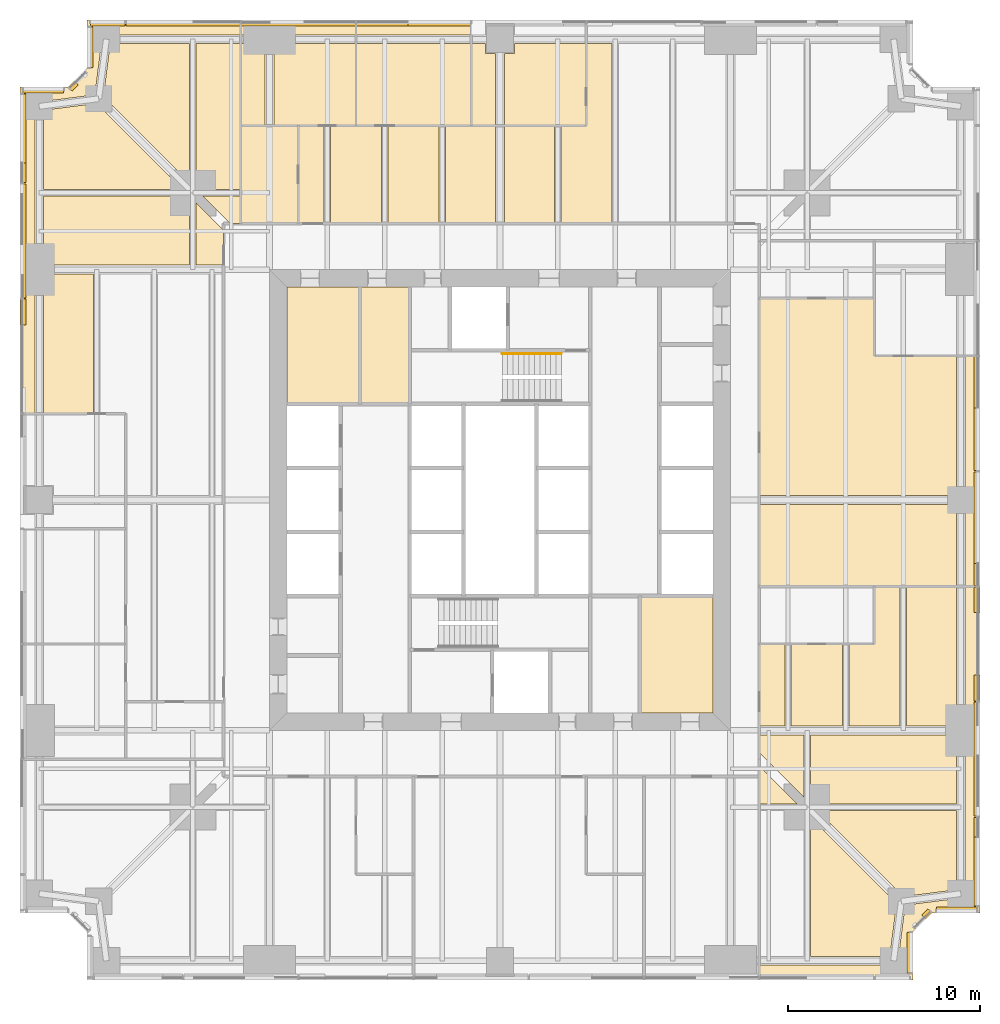
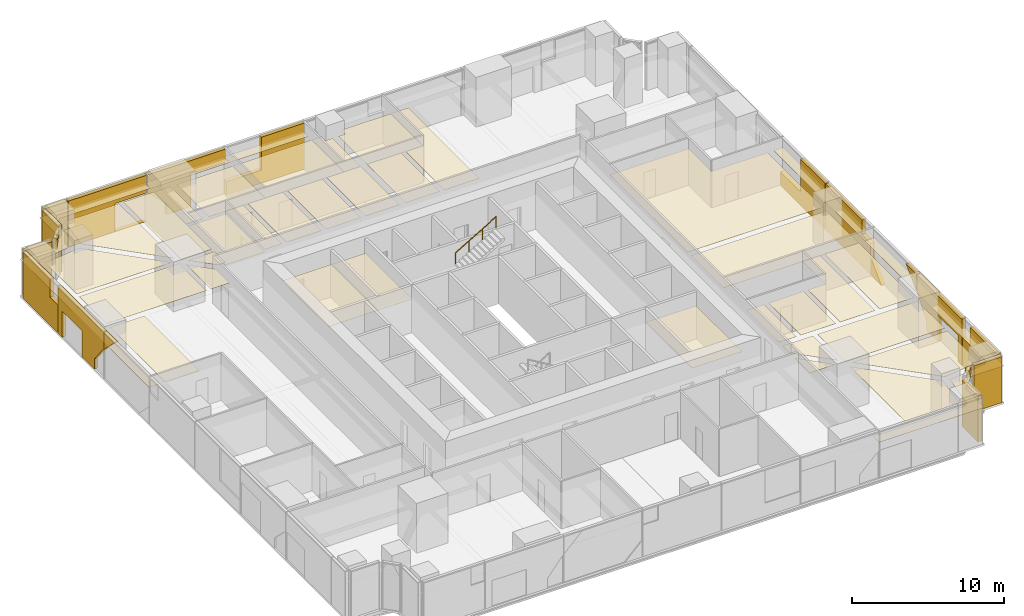
# One storey, part 13 of 14: 57 coverings, 1 railing.
"""IFC4 building model written with IfcOpenShell, lengths in metres."""

from ifc_helpers import new_model, si_unit, direction, frame, origin, origin_2d, place, context, subcontext, project, spatial, polyline, circle, outline, extrude, material, layer, layer_set, type_object, element, save


model = new_model("IFC4")

# Units and contexts
model_context = context("Model", 3, precision=1e-05, world=origin(), true_north=direction((0.0, 1.0)))
body_context = subcontext(model_context, "Body", "Model", "MODEL_VIEW")
ifc_project = project(units=[si_unit("LENGTHUNIT", "METRE"), si_unit("AREAUNIT", "SQUARE_METRE"), si_unit("VOLUMEUNIT", "CUBIC_METRE"), si_unit("PLANEANGLEUNIT", "RADIAN"), si_unit("MASSUNIT", "GRAM", prefix="KILO")], contexts=[model_context])

# Site, building, storey
site_placement = place(None, origin())
site = spatial("IfcSite", under=ifc_project, at=site_placement, CompositionType="ELEMENT")
building_placement = place(site_placement, origin())
building = spatial("IfcBuilding", under=site, at=building_placement, Name="Fenwick Lantern Interchange", CompositionType="ELEMENT")
storey_placement = place(building_placement, frame((0.0, 0.0, 87.0)))
storey = spatial("IfcBuildingStorey", under=building, at=storey_placement, Name="L20", CompositionType="ELEMENT", Elevation=87.0)

# Coverings
ifc_material_1 = material(Name="Mineral fibre acoustic tile on suspended grid")
ifc_layer_1 = layer(ifc_material_1, 0.02001953125)
ifc_layer_set_1 = layer_set([ifc_layer_1], Name="ACOUSTIC TILE CEILING 20")
covering_type_1 = type_object("IfcCoveringType", Name="ACOUSTIC TILE CEILING 20", PredefinedType="CEILING", material=ifc_layer_set_1)
covering_1_placement = place(storey_placement, frame((0.0, 0.0, 2.89990234375)))
element("IfcCovering", 1, at=covering_1_placement, inside=storey, type_object=covering_type_1, Name="Office suite ceiling", PredefinedType="CEILING", context=body_context, shape_type="SweptSolid", body=[
    extrude(outline(polyline([(48.775634765625, 12.767822265625), (41.166015625, 12.767822265625), (41.166015625, 9.17822265625), (41.172119140625, 9.172119140625), (41.17822265625, 9.166015625), (48.775634765625, 9.166015625), (48.775634765625, 12.767822265625)])), origin(), (0.0, 0.0, 1.0), 0.02001953125),
])
covering_2_placement = place(storey_placement, frame((0.0, 0.0, 2.89990234375)))
element("IfcCovering", 2, at=covering_2_placement, inside=storey, type_object=covering_type_1, Name="Office suite ceiling", PredefinedType="CEILING", context=body_context, shape_type="SweptSolid", body=[
    extrude(outline(polyline([(50.0, 20.5), (49.224365234375, 20.5), (49.224365234375, 13.0), (49.224365234375, 4.5), (49.0, 4.5), (49.02880859375, 4.27734375), (46.1005859375, 3.8994140625), (45.72265625, 0.97119140625), (45.5, 1.0), (45.5, 0.775634765625), (38.5, 0.775634765625), (38.5, 0.0), (46.5, 0.0), (46.5, 2.5), (47.5, 3.5), (50.0, 3.5), (50.0, 20.5)])), origin(), (0.0, 0.0, 1.0), 0.02001953125),
])
covering_3_placement = place(storey_placement, frame((0.0, 0.0, 2.89990234375)))
element("IfcCovering", 3, at=covering_3_placement, inside=storey, type_object=covering_type_1, Name="Office suite ceiling", PredefinedType="CEILING", context=body_context, shape_type="SweptSolid", body=[
    extrude(outline(polyline([(46.004638671875, 4.33984375), (48.775634765625, 4.697265625), (48.775634765625, 8.833984375), (41.510498046875, 8.833984375), (46.004638671875, 4.33984375)])), origin(), (0.0, 0.0, 1.0), 0.02001953125),
])
covering_4_placement = place(storey_placement, frame((0.0, 0.0, 2.89990234375)))
element("IfcCovering", 4, at=covering_4_placement, inside=storey, type_object=covering_type_1, Name="Office suite ceiling", PredefinedType="CEILING", context=body_context, shape_type="SweptSolid", body=[
    extrude(outline(polyline([(41.166015625, 8.489501953125), (41.166015625, 1.224365234375), (45.302734375, 1.224365234375), (45.66015625, 3.995361328125), (41.166015625, 8.489501953125)])), origin(), (0.0, 0.0, 1.0), 0.02001953125),
])
covering_5_placement = place(storey_placement, frame((0.0, 0.0, 2.89990234375)))
element("IfcCovering", 5, at=covering_5_placement, inside=storey, type_object=covering_type_1, Name="Office suite ceiling", PredefinedType="CEILING", context=body_context, shape_type="SweptSolid", body=[
    extrude(outline(polyline([(48.775634765625, 20.5), (46.166015625, 20.5), (46.166015625, 13.232177734375), (48.775634765625, 13.232177734375), (48.775634765625, 20.5)])), origin(), (0.0, 0.0, 1.0), 0.02001953125),
])
covering_6_placement = place(storey_placement, frame((0.0, 0.0, 2.89990234375)))
element("IfcCovering", 6, at=covering_6_placement, inside=storey, type_object=covering_type_1, Name="Office suite ceiling", PredefinedType="CEILING", context=body_context, shape_type="SweptSolid", body=[
    extrude(outline(polyline([(45.833984375, 20.5), (44.5, 20.5), (44.5, 17.5), (43.166015625, 17.5), (43.166015625, 13.232177734375), (45.833984375, 13.232177734375), (45.833984375, 20.5)])), origin(), (0.0, 0.0, 1.0), 0.02001953125),
])
covering_7_placement = place(storey_placement, frame((0.0, 0.0, 2.89990234375)))
element("IfcCovering", 7, at=covering_7_placement, inside=storey, type_object=covering_type_1, Name="Office suite ceiling", PredefinedType="CEILING", context=body_context, shape_type="SweptSolid", body=[
    extrude(outline(polyline([(42.833984375, 17.5), (40.166015625, 17.5), (40.166015625, 13.232177734375), (42.833984375, 13.232177734375), (42.833984375, 17.5)])), origin(), (0.0, 0.0, 1.0), 0.02001953125),
])
covering_8_placement = place(storey_placement, frame((0.0, 0.0, 2.89990234375)))
element("IfcCovering", 8, at=covering_8_placement, inside=storey, type_object=covering_type_1, Name="Office suite ceiling", PredefinedType="CEILING", context=body_context, shape_type="SweptSolid", body=[
    extrude(outline(polyline([(38.5, 17.5), (38.5, 13.232177734375), (39.833984375, 13.232177734375), (39.833984375, 17.5), (38.5, 17.5)])), origin(), (0.0, 0.0, 1.0), 0.02001953125),
])
covering_9_placement = place(storey_placement, frame((0.0, 0.0, 2.89990234375)))
element("IfcCovering", 9, at=covering_9_placement, inside=storey, type_object=covering_type_1, Name="Office suite ceiling", PredefinedType="CEILING", context=body_context, shape_type="SweptSolid", body=[
    extrude(outline(polyline([(38.5, 12.767822265625), (38.5, 11.844482421875), (40.833984375, 9.510498046875), (40.833984375, 12.767822265625), (38.5, 12.767822265625)])), origin(), (0.0, 0.0, 1.0), 0.02001953125),
])
covering_10_placement = place(storey_placement, frame((0.0, 0.0, 2.89990234375)))
element("IfcCovering", 10, at=covering_10_placement, inside=storey, type_object=covering_type_1, Name="Office suite ceiling", PredefinedType="CEILING", context=body_context, shape_type="SweptSolid", body=[
    extrude(outline(polyline([(38.5, 11.155517578125), (38.5, 9.166015625), (40.489501953125, 9.166015625), (38.5, 11.155517578125)])), origin(), (0.0, 0.0, 1.0), 0.02001953125),
])
covering_11_placement = place(storey_placement, frame((0.0, 0.0, 2.88427734375)))
element("IfcCovering", 11, at=covering_11_placement, inside=storey, type_object=covering_type_1, Name="Office suite ceiling", PredefinedType="CEILING", context=body_context, shape_type="SweptSolid", body=[
    extrude(outline(polyline([(38.5, 35.5), (38.5, 25.224365234375), (48.775634765625, 25.224365234375), (48.775634765625, 32.5), (44.5, 32.5), (44.5, 35.5), (38.5, 35.5)])), origin(), (0.0, 0.0, 1.0), 0.02001953125),
])
covering_12_placement = place(storey_placement, frame((0.0, 0.0, 2.88427734375)))
element("IfcCovering", 12, at=covering_12_placement, inside=storey, type_object=covering_type_1, Name="Office suite ceiling", PredefinedType="CEILING", context=body_context, shape_type="SweptSolid", body=[
    extrude(outline(polyline([(38.5, 20.5), (48.775634765625, 20.5), (48.775634765625, 24.775634765625), (38.5, 24.775634765625), (38.5, 20.5)])), origin(), (0.0, 0.0, 1.0), 0.02001953125),
])
covering_13_placement = place(storey_placement, frame((0.0, 0.0, 2.88427734375)))
element("IfcCovering", 13, at=covering_13_placement, inside=storey, type_object=covering_type_1, Name="Office suite ceiling", PredefinedType="CEILING", context=body_context, shape_type="SweptSolid", body=[
    extrude(outline(polyline([(49.224365234375, 20.5), (50.0, 20.5), (50.0, 32.5), (49.224365234375, 32.5), (49.224365234375, 25.0), (49.224365234375, 20.5)])), origin(), (0.0, 0.0, 1.0), 0.02001953125),
])
covering_14_placement = place(storey_placement, frame((0.0, 0.0, 2.89990234375)))
element("IfcCovering", 14, at=covering_14_placement, inside=storey, type_object=covering_type_1, Name="Office suite ceiling", PredefinedType="CEILING", context=body_context, shape_type="SweptSolid", body=[
    extrude(outline(polyline([(28.166015625, 39.39990234375), (30.833984375, 39.39990234375), (30.833984375, 48.775634765625), (29.5, 48.775634765625), (29.5, 44.5), (28.166015625, 44.5), (28.166015625, 39.39990234375)])), origin(), (0.0, 0.0, 1.0), 0.02001953125),
])
covering_15_placement = place(storey_placement, frame((0.0, 0.0, 2.89990234375)))
element("IfcCovering", 15, at=covering_15_placement, inside=storey, type_object=covering_type_1, Name="Office suite ceiling", PredefinedType="CEILING", context=body_context, shape_type="SweptSolid", body=[
    extrude(outline(polyline([(16.166015625, 39.39990234375), (18.833984375, 39.39990234375), (18.833984375, 44.5), (16.166015625, 44.5), (16.166015625, 39.39990234375)])), origin(), (0.0, 0.0, 1.0), 0.02001953125),
])
covering_16_placement = place(storey_placement, frame((0.0, 0.0, 2.89990234375)))
element("IfcCovering", 16, at=covering_16_placement, inside=storey, type_object=covering_type_1, Name="Office suite ceiling", PredefinedType="CEILING", context=body_context, shape_type="SweptSolid", body=[
    extrude(outline(polyline([(19.166015625, 39.39990234375), (21.833984375, 39.39990234375), (21.833984375, 44.5), (19.166015625, 44.5), (19.166015625, 39.39990234375)])), origin(), (0.0, 0.0, 1.0), 0.02001953125),
])
covering_17_placement = place(storey_placement, frame((0.0, 0.0, 2.89990234375)))
element("IfcCovering", 17, at=covering_17_placement, inside=storey, type_object=covering_type_1, Name="Office suite ceiling", PredefinedType="CEILING", context=body_context, shape_type="SweptSolid", body=[
    extrude(outline(polyline([(22.166015625, 39.39990234375), (24.767822265625, 39.39990234375), (24.767822265625, 44.5), (22.166015625, 44.5), (22.166015625, 39.39990234375)])), origin(), (0.0, 0.0, 1.0), 0.02001953125),
])
covering_18_placement = place(storey_placement, frame((0.0, 0.0, 2.89990234375)))
element("IfcCovering", 18, at=covering_18_placement, inside=storey, type_object=covering_type_1, Name="Office suite ceiling", PredefinedType="CEILING", context=body_context, shape_type="SweptSolid", body=[
    extrude(outline(polyline([(25.232177734375, 39.39990234375), (27.833984375, 39.39990234375), (27.833984375, 44.5), (25.232177734375, 44.5), (25.232177734375, 39.39990234375)])), origin(), (0.0, 0.0, 1.0), 0.02001953125),
])
covering_19_placement = place(storey_placement, frame((0.0, 0.0, 2.89990234375)))
element("IfcCovering", 19, at=covering_19_placement, inside=storey, type_object=covering_type_1, Name="Office suite ceiling", PredefinedType="CEILING", context=body_context, shape_type="SweptSolid", body=[
    extrude(outline(polyline([(14.5, 39.39990234375), (15.833984375, 39.39990234375), (15.833984375, 44.5), (14.5, 44.5), (14.5, 39.39990234375)])), origin(), (0.0, 0.0, 1.0), 0.02001953125),
])
covering_20_placement = place(storey_placement, frame((0.0, 0.0, 2.88427734375)))
element("IfcCovering", 20, at=covering_20_placement, inside=storey, type_object=covering_type_1, Name="Office ceiling", PredefinedType="CEILING", context=body_context, shape_type="SweptSolid", body=[
    extrude(outline(polyline([(29.5, 44.5), (29.5, 48.775634765625), (25.75, 48.775634765625), (25.75, 48.25), (25.232177734375, 48.25), (25.232177734375, 44.5), (29.5, 44.5)])), origin(), (0.0, 0.0, 1.0), 0.02001953125),
])
covering_21_placement = place(storey_placement, frame((0.0, 0.0, 2.88427734375)))
element("IfcCovering", 21, at=covering_21_placement, inside=storey, type_object=covering_type_1, Name="Office ceiling", PredefinedType="CEILING", context=body_context, shape_type="SweptSolid", body=[
    extrude(outline(polyline([(23.5, 44.5), (24.767822265625, 44.5), (24.767822265625, 48.25), (24.25, 48.25), (24.25, 48.775634765625), (23.5, 48.775634765625), (23.5, 44.5)])), origin(), (0.0, 0.0, 1.0), 0.02001953125),
])
covering_22_placement = place(storey_placement, frame((0.0, 0.0, 2.88427734375)))
element("IfcCovering", 22, at=covering_22_placement, inside=storey, type_object=covering_type_1, Name="Meeting room ceiling", PredefinedType="CEILING", context=body_context, shape_type="SweptSolid", body=[
    extrude(outline(polyline([(23.5, 44.5), (23.5, 48.775634765625), (17.5, 48.775634765625), (17.5, 44.5), (23.5, 44.5)])), origin(), (0.0, 0.0, 1.0), 0.02001953125),
])
covering_23_placement = place(storey_placement, frame((0.0, 0.0, 2.88427734375)))
element("IfcCovering", 23, at=covering_23_placement, inside=storey, type_object=covering_type_1, Name="Meeting room ceiling", PredefinedType="CEILING", context=body_context, shape_type="SweptSolid", body=[
    extrude(outline(polyline([(17.5, 50.0), (17.5, 49.224365234375), (23.5, 49.224365234375), (23.5, 50.0), (17.5, 50.0)])), origin(), (0.0, 0.0, 1.0), 0.02001953125),
])
covering_24_placement = place(storey_placement, frame((0.0, 0.0, 2.88427734375)))
element("IfcCovering", 24, at=covering_24_placement, inside=storey, type_object=covering_type_1, Name="Office ceiling", PredefinedType="CEILING", context=body_context, shape_type="SweptSolid", body=[
    extrude(outline(polyline([(17.5, 44.5), (17.5, 48.775634765625), (13.232177734375, 48.775634765625), (13.232177734375, 44.5), (17.5, 44.5)])), origin(), (0.0, 0.0, 1.0), 0.02001953125),
])
covering_25_placement = place(storey_placement, frame((0.0, 0.0, 2.88427734375)))
element("IfcCovering", 25, at=covering_25_placement, inside=storey, type_object=covering_type_1, Name="Office ceiling", PredefinedType="CEILING", context=body_context, shape_type="SweptSolid", body=[
    extrude(outline(polyline([(11.5, 44.5), (12.767822265625, 44.5), (12.767822265625, 48.775634765625), (11.5, 48.775634765625), (11.5, 44.5)])), origin(), (0.0, 0.0, 1.0), 0.02001953125),
])
covering_26_placement = place(storey_placement, frame((0.0, 0.0, 2.88427734375)))
element("IfcCovering", 26, at=covering_26_placement, inside=storey, type_object=covering_type_1, Name="Office ceiling", PredefinedType="CEILING", context=body_context, shape_type="SweptSolid", body=[
    extrude(outline(polyline([(11.5, 50.0), (11.5, 49.224365234375), (13.0, 49.224365234375), (17.5, 49.224365234375), (17.5, 50.0), (11.5, 50.0)])), origin(), (0.0, 0.0, 1.0), 0.02001953125),
])
covering_27_placement = place(storey_placement, frame((0.0, 0.0, 2.89990234375)))
element("IfcCovering", 27, at=covering_27_placement, inside=storey, type_object=covering_type_1, Name="Office suite ceiling", PredefinedType="CEILING", context=body_context, shape_type="SweptSolid", body=[
    extrude(outline(polyline([(8.827880859375, 40.827880859375), (8.82177734375, 40.833984375), (1.224365234375, 40.833984375), (1.224365234375, 37.232177734375), (8.833984375, 37.232177734375), (8.833984375, 40.82177734375), (8.827880859375, 40.827880859375)])), origin(), (0.0, 0.0, 1.0), 0.02001953125),
])
covering_28_placement = place(storey_placement, frame((0.0, 0.0, 2.89990234375)))
element("IfcCovering", 28, at=covering_28_placement, inside=storey, type_object=covering_type_1, Name="Office suite ceiling", PredefinedType="CEILING", context=body_context, shape_type="SweptSolid", body=[
    extrude(outline(polyline([(0.0, 46.5), (0.0, 29.5), (0.775634765625, 29.5), (0.775634765625, 37.0), (0.775634765625, 37.0), (0.775634765625, 45.5), (1.0, 45.5), (0.97119140625, 45.72265625), (3.8994140625, 46.1005859375), (4.27734375, 49.02880859375), (4.5, 49.0), (4.5, 49.224365234375), (11.5, 49.224365234375), (11.5, 50.0), (3.5, 50.0), (3.5, 47.5), (2.5, 46.5), (0.0, 46.5)])), origin(), (0.0, 0.0, 1.0), 0.02001953125),
])
covering_29_placement = place(storey_placement, frame((0.0, 0.0, 2.89990234375)))
element("IfcCovering", 29, at=covering_29_placement, inside=storey, type_object=covering_type_1, Name="Office suite ceiling", PredefinedType="CEILING", context=body_context, shape_type="SweptSolid", body=[
    extrude(outline(polyline([(4.697265625, 48.775634765625), (4.33984375, 46.004638671875), (8.833984375, 41.510498046875), (8.833984375, 48.775634765625), (4.697265625, 48.775634765625)])), origin(), (0.0, 0.0, 1.0), 0.02001953125),
])
covering_30_placement = place(storey_placement, frame((0.0, 0.0, 2.89990234375)))
element("IfcCovering", 30, at=covering_30_placement, inside=storey, type_object=covering_type_1, Name="Office suite ceiling", PredefinedType="CEILING", context=body_context, shape_type="SweptSolid", body=[
    extrude(outline(polyline([(8.489501953125, 41.166015625), (3.995361328125, 45.66015625), (1.224365234375, 45.302734375), (1.224365234375, 41.166015625), (8.489501953125, 41.166015625)])), origin(), (0.0, 0.0, 1.0), 0.02001953125),
])
covering_31_placement = place(storey_placement, frame((0.0, 0.0, 2.89990234375)))
element("IfcCovering", 31, at=covering_31_placement, inside=storey, type_object=covering_type_1, Name="Office suite ceiling", PredefinedType="CEILING", context=body_context, shape_type="SweptSolid", body=[
    extrude(outline(polyline([(1.224365234375, 29.5), (3.833984375, 29.5), (3.833984375, 36.767822265625), (1.224365234375, 36.767822265625), (1.224365234375, 29.5)])), origin(), (0.0, 0.0, 1.0), 0.02001953125),
])
covering_32_placement = place(storey_placement, frame((0.0, 0.0, 2.89990234375)))
element("IfcCovering", 32, at=covering_32_placement, inside=storey, type_object=covering_type_1, Name="Office suite ceiling", PredefinedType="CEILING", context=body_context, shape_type="SweptSolid", body=[
    extrude(outline(polyline([(11.5, 41.166015625), (11.5, 48.775634765625), (9.166015625, 48.775634765625), (9.166015625, 41.17822265625), (9.172119140625, 41.172119140625), (9.17822265625, 41.166015625), (11.5, 41.166015625)])), origin(), (0.0, 0.0, 1.0), 0.02001953125),
])
covering_33_placement = place(storey_placement, frame((0.0, 0.0, 2.89990234375)))
element("IfcCovering", 33, at=covering_33_placement, inside=storey, type_object=covering_type_1, Name="Office suite ceiling", PredefinedType="CEILING", context=body_context, shape_type="SweptSolid", body=[
    extrude(outline(polyline([(10.60009765625, 37.232177734375), (10.60009765625, 39.0556640625), (9.166015625, 40.489501953125), (9.166015625, 37.232177734375), (10.60009765625, 37.232177734375)])), origin(), (0.0, 0.0, 1.0), 0.02001953125),
])
covering_34_placement = place(storey_placement, frame((0.0, 0.0, 2.89990234375)))
element("IfcCovering", 34, at=covering_34_placement, inside=storey, type_object=covering_type_1, Name="Office suite ceiling", PredefinedType="CEILING", context=body_context, shape_type="SweptSolid", body=[
    extrude(outline(polyline([(11.5, 39.39990234375), (11.5, 40.833984375), (9.510498046875, 40.833984375), (10.9443359375, 39.39990234375), (11.5, 39.39990234375)])), origin(), (0.0, 0.0, 1.0), 0.02001953125),
])
ifc_material_2 = material(Name="Granite cladding, warm grey flamed finish, on aluminium carrier frame", Category="masonry")
ifc_layer_2 = layer(ifc_material_2, 0.300048828125)
ifc_layer_set_2 = layer_set([ifc_layer_2], Name="BRACE CASING PANEL 300")
covering_type_2 = type_object("IfcCoveringType", Name="BRACE CASING PANEL 300", PredefinedType="CLADDING", material=ifc_layer_set_2)
covering_35_placement = place(storey_placement, frame((46.39990234375, 0.10009765625, 0.0), z_axis=(0.0, 0.0, 1.0), x_axis=(0.0, 1.0, 0.0)))
element("IfcCovering", 35, at=covering_35_placement, inside=storey, type_object=covering_type_2, Name="Brace casing 02 bay 00a", PredefinedType="CLADDING", context=body_context, shape_type="SweptSolid", body=[
    extrude(outline(polyline([(0.264892578125, 0.0), (2.37646484375, 0.0), (2.37646484375, 3.699951171875), (0.264892578125, 3.699951171875), (0.264892578125, 0.0)])), frame((0.0, 0.2001953125, 0.0), z_axis=(0.0, -1.0, 0.0), x_axis=(1.0, 0.0, 0.0)), (0.0, 0.0, 1.0), 0.300048828125),
])
covering_36_placement = place(storey_placement, frame((46.39990234375, 2.54150390625, 2.832763671875), z_axis=(0.0, 0.0, 1.0), x_axis=(0.707106781187, 0.707106781187, 0.0)))
element("IfcCovering", 36, at=covering_36_placement, inside=storey, type_object=covering_type_2, Name="Brace casing 03 bay 00b", PredefinedType="CLADDING", context=body_context, shape_type="SweptSolid", body=[
    extrude(outline(polyline([(1.43212890625, 0.0), (1.43212890625, 0.8671875), (0.993408203125, 0.8671875), (1.43212890625, 0.0)])), frame((0.0, 0.2001953125, 0.0), z_axis=(0.0, -1.0, 0.0), x_axis=(1.0, 0.0, 0.0)), (0.0, 0.0, 1.0), 0.300048828125),
])
covering_37_placement = place(storey_placement, frame((47.45849609375, 3.60009765625, 0.0), z_axis=(0.0, 0.0, 1.0), x_axis=(1.0, 0.0, 0.0)))
element("IfcCovering", 37, at=covering_37_placement, inside=storey, type_object=covering_type_2, Name="Brace casing 04 bay 00a", PredefinedType="CLADDING", context=body_context, shape_type="SweptSolid", body=[
    extrude(outline(polyline([(0.264892578125, 0.0), (2.37646484375, 0.0), (2.37646484375, 3.699951171875), (0.264892578125, 3.699951171875), (0.264892578125, 0.0)])), frame((0.0, 0.2001953125, 0.0), z_axis=(0.0, -1.0, 0.0), x_axis=(1.0, 0.0, 0.0)), (0.0, 0.0, 1.0), 0.300048828125),
])
covering_38_placement = place(storey_placement, frame((49.89990234375, 3.60009765625, 0.0), z_axis=(0.0, 0.0, 1.0), x_axis=(0.0, 1.0, 0.0)))
element("IfcCovering", 38, at=covering_38_placement, inside=storey, type_object=covering_type_2, Name="Brace casing 05 bay 00a", PredefinedType="CLADDING", context=body_context, shape_type="SweptSolid", body=[
    extrude(outline(polyline([(0.264892578125, 0.0), (4.867431640625, 0.0), (4.867431640625, 2.259765625), (3.841796875, 2.259765625), (3.841796875, 3.699951171875), (0.264892578125, 3.699951171875), (0.264892578125, 0.0)])), frame((0.0, 0.2001953125, 0.0), z_axis=(0.0, -1.0, 0.0), x_axis=(1.0, 0.0, 0.0)), (0.0, 0.0, 1.0), 0.300048828125),
])
covering_39_placement = place(storey_placement, frame((49.89990234375, 3.60009765625, 0.0), z_axis=(0.0, 0.0, 1.0), x_axis=(0.0, 1.0, 0.0)))
element("IfcCovering", 39, at=covering_39_placement, inside=storey, type_object=covering_type_2, Name="Brace casing 05 bay 01a", PredefinedType="CLADDING", context=body_context, shape_type="SweptSolid", body=[
    extrude(outline(polyline([(4.9326171875, 0.0), (5.46240234375, 0.0), (5.46240234375, 2.098876953125), (8.08251953125, 2.098876953125), (8.08251953125, 0.0), (9.68115234375, 0.0), (9.68115234375, 0.820068359375), (10.7431640625, 2.147705078125), (10.867431640625, 2.27197265625), (10.867431640625, 3.699951171875), (4.9326171875, 3.699951171875), (4.9326171875, 0.0)])), frame((0.0, 0.2001953125, 0.0), z_axis=(0.0, -1.0, 0.0), x_axis=(1.0, 0.0, 0.0)), (0.0, 0.0, 1.0), 0.300048828125),
])
covering_40_placement = place(storey_placement, frame((49.89990234375, 3.60009765625, 2.3369140625), z_axis=(0.0, 0.0, 1.0), x_axis=(0.0, 1.0, 0.0)))
element("IfcCovering", 40, at=covering_40_placement, inside=storey, type_object=covering_type_2, Name="Brace casing 05 bay 02a", PredefinedType="CLADDING", context=body_context, shape_type="SweptSolid", body=[
    extrude(outline(polyline([(10.9326171875, 0.0), (12.295654296875, 1.363037109375), (10.9326171875, 1.363037109375), (10.9326171875, 0.0)])), frame((0.0, 0.2001953125, 0.0), z_axis=(0.0, -1.0, 0.0), x_axis=(1.0, 0.0, 0.0)), (0.0, 0.0, 1.0), 0.300048828125),
])
covering_41_placement = place(storey_placement, frame((49.89990234375, 3.60009765625, 0.0), z_axis=(0.0, 0.0, 1.0), x_axis=(0.0, 1.0, 0.0)))
element("IfcCovering", 41, at=covering_41_placement, inside=storey, type_object=covering_type_2, Name="Brace casing 05 bay 02b", PredefinedType="CLADDING", context=body_context, shape_type="SweptSolid", body=[
    extrude(outline(polyline([(15.53125, 0.0), (16.867431640625, 0.0), (16.867431640625, 1.3232421875), (15.53125, 0.0)])), frame((0.0, 0.2001953125, 0.0), z_axis=(0.0, -1.0, 0.0), x_axis=(1.0, 0.0, 0.0)), (0.0, 0.0, 1.0), 0.300048828125),
])
covering_42_placement = place(storey_placement, frame((49.89990234375, 3.60009765625, 0.0), z_axis=(0.0, 0.0, 1.0), x_axis=(0.0, 1.0, 0.0)))
element("IfcCovering", 42, at=covering_42_placement, inside=storey, type_object=covering_type_2, Name="Brace casing 05 bay 03a", PredefinedType="CLADDING", context=body_context, shape_type="SweptSolid", body=[
    extrude(outline(polyline([(16.9326171875, 0.0), (22.867431640625, 0.0), (22.867431640625, 3.699951171875), (18.097412109375, 3.699951171875), (18.097412109375, 2.54150390625), (16.9326171875, 2.54150390625), (16.9326171875, 0.0)])), frame((0.0, 0.2001953125, 0.0), z_axis=(0.0, -1.0, 0.0), x_axis=(1.0, 0.0, 0.0)), (0.0, 0.0, 1.0), 0.300048828125),
])
for number, where, z_axis, x_axis, name in (
    (43, (49.89990234375, 3.60009765625, 0.0), (0.0, 0.0, 1.0), (0.0, 1.0, 0.0), "Brace casing 05 bay 04a"),
    (44, (46.39990234375, 49.89990234375, 0.0), (0.0, 0.0, 1.0), (-1.0, 0.0, 0.0), "Brace casing 09 bay 04a"),
):
    element("IfcCovering", number, at=place(storey_placement, frame(where, z_axis=z_axis, x_axis=x_axis)), inside=storey, type_object=covering_type_2, Name=name, PredefinedType="CLADDING", context=body_context, shape_type="SweptSolid", body=[
        extrude(outline(polyline([(22.9326171875, 0.0), (28.867431640625, 0.0), (28.867431640625, 1.057373046875), (26.200927734375, 1.057373046875), (26.200927734375, 3.699951171875), (22.9326171875, 3.699951171875), (22.9326171875, 0.0)])), frame((0.0, 0.2001953125, 0.0), z_axis=(0.0, -1.0, 0.0), x_axis=(1.0, 0.0, 0.0)), (0.0, 0.0, 1.0), 0.300048828125),
    ])
covering_43_placement = place(storey_placement, frame((46.39990234375, 49.89990234375, 0.0), z_axis=(0.0, 0.0, 1.0), x_axis=(-1.0, 0.0, 0.0)))
element("IfcCovering", 45, at=covering_43_placement, inside=storey, type_object=covering_type_2, Name="Brace casing 09 bay 05a", PredefinedType="CLADDING", context=body_context, shape_type="SweptSolid", body=[
    extrude(outline(polyline([(31.567626953125, 0.0), (33.39990234375, 0.0), (33.39990234375, 0.804443359375), (34.602294921875, 2.0068359375), (34.867431640625, 2.218994140625), (34.867431640625, 3.699951171875), (28.9326171875, 3.699951171875), (28.9326171875, 2.636962890625), (31.567626953125, 2.636962890625), (31.567626953125, 0.0)])), frame((0.0, 0.2001953125, 0.0), z_axis=(0.0, -1.0, 0.0), x_axis=(1.0, 0.0, 0.0)), (0.0, 0.0, 1.0), 0.300048828125),
])
covering_44_placement = place(storey_placement, frame((46.39990234375, 49.89990234375, 0.0), z_axis=(0.0, 0.0, 1.0), x_axis=(-1.0, 0.0, 0.0)))
element("IfcCovering", 46, at=covering_44_placement, inside=storey, type_object=covering_type_2, Name="Brace casing 09 bay 06a", PredefinedType="CLADDING", context=body_context, shape_type="SweptSolid", body=[
    extrude(outline(polyline([(34.9326171875, 0.0), (40.867431640625, 0.0), (40.867431640625, 3.699951171875), (34.9326171875, 3.699951171875), (34.9326171875, 2.27099609375), (37.342529296875, 2.27099609375), (37.342529296875, 0.000732421875), (34.9326171875, 0.000732421875), (34.9326171875, 0.0)])), frame((0.0, 0.2001953125, 0.0), z_axis=(0.0, -1.0, 0.0), x_axis=(1.0, 0.0, 0.0)), (0.0, 0.0, 1.0), 0.300048828125),
])
covering_45_placement = place(storey_placement, frame((46.39990234375, 49.89990234375, 0.0), z_axis=(0.0, 0.0, 1.0), x_axis=(-1.0, 0.0, 0.0)))
element("IfcCovering", 47, at=covering_45_placement, inside=storey, type_object=covering_type_2, Name="Brace casing 09 bay 07a", PredefinedType="CLADDING", context=body_context, shape_type="SweptSolid", body=[
    extrude(outline(polyline([(40.9326171875, 0.0), (42.735107421875, 0.0), (42.735107421875, 3.699951171875), (40.9326171875, 3.699951171875), (40.9326171875, 0.0)])), frame((0.0, 0.2001953125, 0.0), z_axis=(0.0, -1.0, 0.0), x_axis=(1.0, 0.0, 0.0)), (0.0, 0.0, 1.0), 0.300048828125),
])
covering_46_placement = place(storey_placement, frame((3.60009765625, 49.89990234375, 0.0), z_axis=(0.0, 0.0, 1.0), x_axis=(0.0, -1.0, 0.0)))
element("IfcCovering", 48, at=covering_46_placement, inside=storey, type_object=covering_type_2, Name="Brace casing 10 bay 00a", PredefinedType="CLADDING", context=body_context, shape_type="SweptSolid", body=[
    extrude(outline(polyline([(0.264892578125, 0.0), (2.37646484375, 0.0), (2.37646484375, 3.699951171875), (0.264892578125, 3.699951171875), (0.264892578125, 0.0)])), frame((0.0, 0.2001953125, 0.0), z_axis=(0.0, -1.0, 0.0), x_axis=(1.0, 0.0, 0.0)), (0.0, 0.0, 1.0), 0.300048828125),
])
covering_47_placement = place(storey_placement, frame((3.60009765625, 47.45849609375, 2.832763671875), z_axis=(0.0, 0.0, 1.0), x_axis=(-0.707106781187, -0.707106781187, 0.0)))
element("IfcCovering", 49, at=covering_47_placement, inside=storey, type_object=covering_type_2, Name="Brace casing 11 bay 00b", PredefinedType="CLADDING", context=body_context, shape_type="SweptSolid", body=[
    extrude(outline(polyline([(1.43212890625, 0.0), (1.43212890625, 0.8671875), (0.993408203125, 0.8671875), (1.43212890625, 0.0)])), frame((0.0, 0.2001953125, 0.0), z_axis=(0.0, -1.0, 0.0), x_axis=(1.0, 0.0, 0.0)), (0.0, 0.0, 1.0), 0.300048828125),
])
covering_48_placement = place(storey_placement, frame((2.54150390625, 46.39990234375, 0.0), z_axis=(0.0, 0.0, 1.0), x_axis=(-1.0, 0.0, 0.0)))
element("IfcCovering", 50, at=covering_48_placement, inside=storey, type_object=covering_type_2, Name="Brace casing 12 bay 00a", PredefinedType="CLADDING", context=body_context, shape_type="SweptSolid", body=[
    extrude(outline(polyline([(0.264892578125, 0.0), (2.37646484375, 0.0), (2.37646484375, 3.699951171875), (0.264892578125, 3.699951171875), (0.264892578125, 0.0)])), frame((0.0, 0.2001953125, 0.0), z_axis=(0.0, -1.0, 0.0), x_axis=(1.0, 0.0, 0.0)), (0.0, 0.0, 1.0), 0.300048828125),
])
covering_49_placement = place(storey_placement, frame((0.10009765625, 46.39990234375, 0.0), z_axis=(0.0, 0.0, 1.0), x_axis=(0.0, -1.0, 0.0)))
element("IfcCovering", 51, at=covering_49_placement, inside=storey, type_object=covering_type_2, Name="Brace casing 13 bay 00a", PredefinedType="CLADDING", context=body_context, shape_type="SweptSolid", body=[
    extrude(outline(polyline([(0.264892578125, 0.0), (4.867431640625, 0.0), (4.867431640625, 2.259765625), (3.841796875, 2.259765625), (3.841796875, 3.699951171875), (0.264892578125, 3.699951171875), (0.264892578125, 0.0)])), frame((0.0, 0.2001953125, 0.0), z_axis=(0.0, -1.0, 0.0), x_axis=(1.0, 0.0, 0.0)), (0.0, 0.0, 1.0), 0.300048828125),
])
covering_50_placement = place(storey_placement, frame((0.10009765625, 46.39990234375, 0.0), z_axis=(0.0, 0.0, 1.0), x_axis=(0.0, -1.0, 0.0)))
element("IfcCovering", 52, at=covering_50_placement, inside=storey, type_object=covering_type_2, Name="Brace casing 13 bay 01a", PredefinedType="CLADDING", context=body_context, shape_type="SweptSolid", body=[
    extrude(outline(polyline([(4.9326171875, 0.0), (5.46240234375, 0.0), (5.46240234375, 2.098876953125), (8.08251953125, 2.098876953125), (8.08251953125, 0.0), (9.68115234375, 0.0), (9.68115234375, 0.820068359375), (10.7431640625, 2.147705078125), (10.867431640625, 2.27197265625), (10.867431640625, 3.699951171875), (4.9326171875, 3.699951171875), (4.9326171875, 0.0)])), frame((0.0, 0.2001953125, 0.0), z_axis=(0.0, -1.0, 0.0), x_axis=(1.0, 0.0, 0.0)), (0.0, 0.0, 1.0), 0.300048828125),
])
covering_51_placement = place(storey_placement, frame((0.10009765625, 46.39990234375, 2.3369140625), z_axis=(0.0, 0.0, 1.0), x_axis=(0.0, -1.0, 0.0)))
element("IfcCovering", 53, at=covering_51_placement, inside=storey, type_object=covering_type_2, Name="Brace casing 13 bay 02a", PredefinedType="CLADDING", context=body_context, shape_type="SweptSolid", body=[
    extrude(outline(polyline([(10.9326171875, 0.0), (12.295654296875, 1.363037109375), (10.9326171875, 1.363037109375), (10.9326171875, 0.0)])), frame((0.0, 0.2001953125, 0.0), z_axis=(0.0, -1.0, 0.0), x_axis=(1.0, 0.0, 0.0)), (0.0, 0.0, 1.0), 0.300048828125),
])

# Railing
ifc_material_3 = material(Name="Stainless steel handrail", Category="steel")
railing_type = type_object("IfcRailingType", Name="HANDRAIL 900", PredefinedType="HANDRAIL", material=ifc_material_3)
railing_placement = place(storey_placement, frame((25.1201171875, 32.6259765625, 2.166748046875)))
element("IfcRailing", 54, at=railing_placement, inside=storey, type_object=railing_type, Name="L20/STAIR/ST2/HR2", PredefinedType="HANDRAIL", context=body_context, shape_type="SweptSolid", body=[
    extrude(circle(Radius=0.02392578125, at=origin_2d()), frame((0.0, 0.0, 0.8759765625), z_axis=(0.859290745958, 0.0, 0.51148745235), x_axis=(0.0, 1.0, 0.0)), (0.0, 0.0, 1.0), 3.584228515625),
    extrude(circle(Radius=0.02099609375, at=origin_2d()), origin(), (0.0, 0.0, 1.0), 0.851806640625),
    extrude(circle(Radius=0.02099609375, at=origin_2d()), frame((1.026611328125, 0.0, 0.611083984375)), (0.0, 0.0, 1.0), 0.851806640625),
    extrude(circle(Radius=0.02099609375, at=origin_2d()), frame((2.05322265625, 0.0, 1.22216796875)), (0.0, 0.0, 1.0), 0.851806640625),
    extrude(circle(Radius=0.02099609375, at=origin_2d()), frame((3.079833984375, 0.0, 1.833251953125)), (0.0, 0.0, 1.0), 0.851806640625),
])

# Coverings
ifc_material_4 = material(Name="Moisture resistant gypsum board on suspended frame, painted")
ifc_layer_3 = layer(ifc_material_4, 0.014892578125)
ifc_layer_set_3 = layer_set([ifc_layer_3], Name="MOISTURE RESISTANT CEILING 15")
covering_type_3 = type_object("IfcCoveringType", Name="MOISTURE RESISTANT CEILING 15", PredefinedType="CEILING", material=ifc_layer_set_3)
covering_52_placement = place(storey_placement, frame((0.0, 0.0, 2.60009765625)))
element("IfcCovering", 55, at=covering_52_placement, inside=storey, type_object=covering_type_3, Name="Women's WC ceiling", PredefinedType="CEILING", context=body_context, shape_type="SweptSolid", body=[
    extrude(outline(polyline([(32.300048828125, 13.89990234375), (36.10009765625, 13.89990234375), (36.10009765625, 20.0), (32.300048828125, 20.0), (32.300048828125, 13.89990234375)])), origin(), (0.0, 0.0, 1.0), 0.014892578125),
])
covering_53_placement = place(storey_placement, frame((0.0, 0.0, 2.60009765625)))
element("IfcCovering", 56, at=covering_53_placement, inside=storey, type_object=covering_type_3, Name="Men's WC ceiling", PredefinedType="CEILING", context=body_context, shape_type="SweptSolid", body=[
    extrude(outline(polyline([(20.300048828125, 36.10009765625), (17.699951171875, 36.10009765625), (17.699951171875, 30.0), (20.300048828125, 30.0), (20.300048828125, 36.10009765625)])), origin(), (0.0, 0.0, 1.0), 0.014892578125),
])
covering_54_placement = place(storey_placement, frame((0.0, 0.0, 2.60009765625)))
element("IfcCovering", 57, at=covering_54_placement, inside=storey, type_object=covering_type_3, Name="Women's WC ceiling", PredefinedType="CEILING", context=body_context, shape_type="SweptSolid", body=[
    extrude(outline(polyline([(17.699951171875, 36.10009765625), (13.89990234375, 36.10009765625), (13.89990234375, 30.0), (17.699951171875, 30.0), (17.699951171875, 36.10009765625)])), origin(), (0.0, 0.0, 1.0), 0.014892578125),
])
covering_55_placement = place(storey_placement, frame((0.0, 0.0, 2.699951171875)))
element("IfcCovering", 58, at=covering_55_placement, inside=storey, type_object=covering_type_3, Name="Pantry ceiling", PredefinedType="CEILING", context=body_context, shape_type="SweptSolid", body=[
    extrude(outline(polyline([(14.5, 44.5), (11.5, 44.5), (11.5, 39.39990234375), (14.5, 39.39990234375), (14.5, 44.5)])), origin(), (0.0, 0.0, 1.0), 0.01513671875),
])

save(model, "model.ifc")
